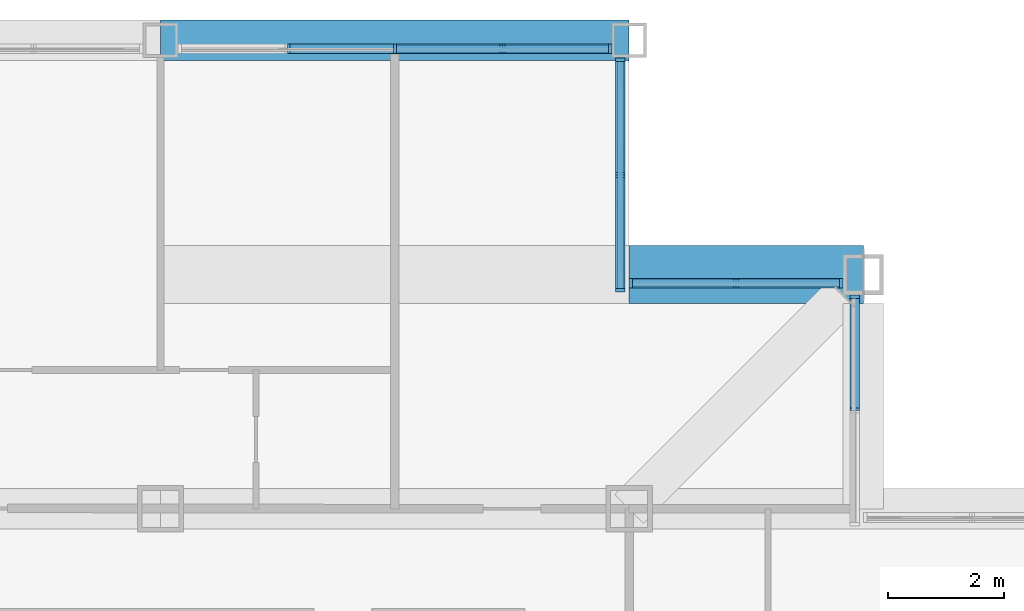
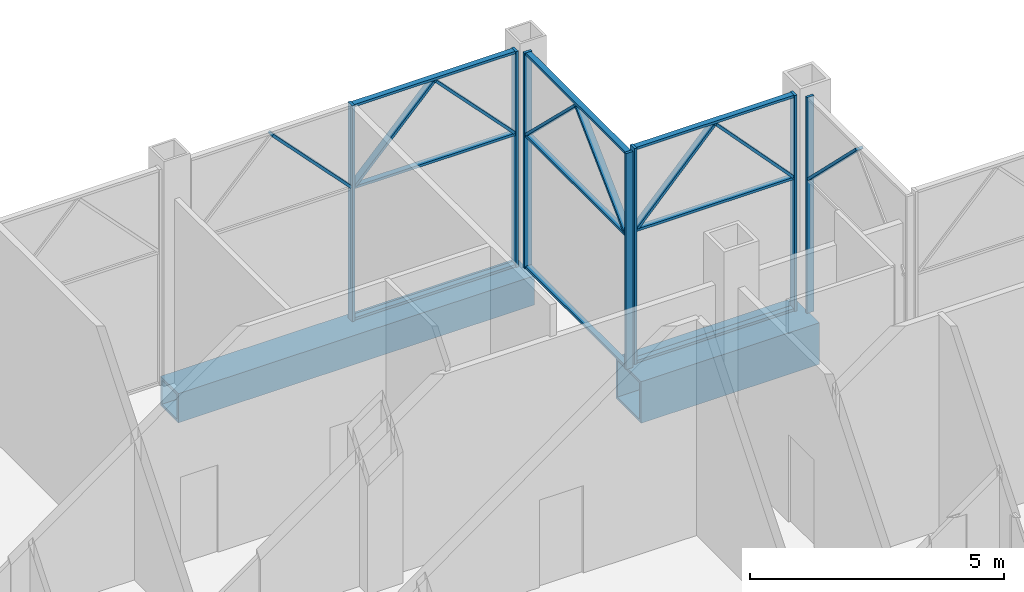
# One storey, part 11 of 29: 24 members, 2 beams, 4 elements without a shape of their own.
"""IFC4 building model written with IfcOpenShell, lengths in metres."""

from ifc_helpers import new_model, si_unit, direction, frame, origin, origin_2d, place, context, subcontext, project, spatial, rectangle, hollow_rectangle, extrude, material, material_profile, profile_set, type_object, element, aggregate, save


model = new_model("IFC4")

# Units and contexts
model_context = context("Model", 3, precision=1e-05, world=origin(), true_north=direction((0.0, 1.0)))
body_context = subcontext(model_context, "Body", "Model", "MODEL_VIEW")
ifc_project = project(units=[si_unit("LENGTHUNIT", "METRE"), si_unit("AREAUNIT", "SQUARE_METRE"), si_unit("VOLUMEUNIT", "CUBIC_METRE"), si_unit("PLANEANGLEUNIT", "RADIAN"), si_unit("MASSUNIT", "GRAM", prefix="KILO")], contexts=[model_context])

# Site, building, storey
site_placement = place(None, origin())
site = spatial("IfcSite", under=ifc_project, at=site_placement, CompositionType="ELEMENT")
building_placement = place(site_placement, origin())
building = spatial("IfcBuilding", under=site, at=building_placement, Name="Kopane Lantern Tower", CompositionType="ELEMENT")
storey_placement = place(building_placement, frame((0.0, 0.0, 165.0)))
storey = spatial("IfcBuildingStorey", under=building, at=storey_placement, Name="L42", CompositionType="ELEMENT", Elevation=165.0)

# Beam
ifc_material_1 = material(Name="Steel S355JR", Category="steel")
ifc_material_profile_1 = material_profile(ifc_material_1, hollow_rectangle(XDim=0.699951171875, YDim=0.699951171875, WallThickness=0.06005859375, at=origin_2d()), Name="BOX 700x700x60")
ifc_profile_set_1 = profile_set([ifc_material_profile_1], Name="Steel S355JR")
beam_type_1 = type_object("IfcBeamType", Name="GIRDER BOX 700x700x60", PredefinedType="BEAM", material=ifc_profile_set_1)
beam_1_placement = place(storey_placement, frame((40.5, 59.39990234375, -0.60009765625), z_axis=(1.0, 0.0, 0.0), x_axis=(0.0, 1.0, 0.0)))
element("IfcBeam", 1, at=beam_1_placement, inside=storey, type_object=beam_type_1, Name="Girder L42", PredefinedType="BEAM", context=body_context, shape_type="SweptSolid", body=[
    extrude(hollow_rectangle(XDim=0.699951171875, YDim=0.699951171875, WallThickness=0.06005859375, at=origin_2d()), origin(), (0.0, 0.0, 1.0), 8.10009765625),
])

# Curtain wall, members
ifc_material_2 = material(Name="Aluminium and clear glass", Category="aluminium")
curtain_wall_type = type_object("IfcCurtainWallType", Name="CURTAIN WALL CW4 RESIDENCES LOBBY", PredefinedType="USERDEFINED", material=ifc_material_2)
curtain_wall_1_placement = place(storey_placement, origin())
curtain_wall_1 = element("IfcCurtainWall", 2, at=curtain_wall_1_placement, inside=storey, type_object=curtain_wall_type, Name="Curtain wall CW4 E L42", ObjectType="CURTAIN WALL", PredefinedType="USERDEFINED")
ifc_material_3 = material(Name="Aluminium", Category="aluminium")
ifc_material_profile_2 = material_profile(ifc_material_3, rectangle(XDim=0.06005859375, YDim=0.1650390625, at=origin_2d()), Name="AL 60x165")
ifc_profile_set_2 = profile_set([ifc_material_profile_2], Name="Aluminium")
member_type_1 = type_object("IfcMemberType", Name="MULLION CW4-M 60x165", PredefinedType="MULLION", material=ifc_profile_set_2)
member_1_placement = place(storey_placement, frame((52.5, 54.965087890625, 0.0), z_axis=(0.0, 0.0, 1.0), x_axis=(0.0, 1.0, 0.0)))
member_1 = element("IfcMember", 3, at=member_1_placement, type_object=member_type_1, Name="CW4 mullion 2", PredefinedType="MULLION", context=body_context, shape_type="SweptSolid", body=[
    extrude(rectangle(XDim=0.06005859375, YDim=0.1650390625, at=origin_2d()), origin(), (0.0, 0.0, 1.0), 5.18994140625),
])
member_2_placement = place(storey_placement, frame((52.5, 54.913818359375, 3.241455078125), z_axis=(0.0, -0.712363521538, 0.701810667618), x_axis=(0.0, 0.701810667618, 0.712363521538)))
member_2 = element("IfcMember", 4, at=member_2_placement, type_object=member_type_1, Name="CW4 lancet mullion 1R", PredefinedType="MULLION", context=body_context, shape_type="SweptSolid", body=[
    extrude(rectangle(XDim=0.06005859375, YDim=0.1650390625, at=origin_2d()), origin(), (0.0, 0.0, 1.0), 2.66064453125),
])
aggregate(curtain_wall_1, [member_1, member_2])

curtain_wall_2_placement = place(storey_placement, origin())
curtain_wall_2 = element("IfcCurtainWall", 5, at=curtain_wall_2_placement, inside=storey, type_object=curtain_wall_type, Name="Curtain wall CW4 N L42", ObjectType="CURTAIN WALL", PredefinedType="USERDEFINED")
member_3_placement = place(storey_placement, frame((52.264892578125, 55.199951171875, 0.0), z_axis=(0.0, 0.0, 1.0), x_axis=(-1.0, 0.0, 0.0)))
member_3 = element("IfcMember", 6, at=member_3_placement, type_object=member_type_1, Name="CW4 mullion 1", PredefinedType="MULLION", context=body_context, shape_type="SweptSolid", body=[
    extrude(rectangle(XDim=0.06005859375, YDim=0.1650390625, at=origin_2d()), origin(), (0.0, 0.0, 1.0), 5.18994140625),
])
member_4_placement = place(storey_placement, frame((48.6298828125, 55.199951171875, 0.0), z_axis=(0.0, 0.0, 1.0), x_axis=(-1.0, 0.0, 0.0)))
member_4 = element("IfcMember", 7, at=member_4_placement, type_object=member_type_1, Name="CW4 mullion 2", PredefinedType="MULLION", context=body_context, shape_type="SweptSolid", body=[
    extrude(rectangle(XDim=0.06005859375, YDim=0.1650390625, at=origin_2d()), origin(), (0.0, 0.0, 1.0), 5.18994140625),
])
member_5_placement = place(storey_placement, frame((52.213134765625, 55.199951171875, 3.240478515625), z_axis=(-0.68213446792, 0.0, 0.731226755306), x_axis=(0.731226755306, 0.0, 0.68213446792)))
member_5 = element("IfcMember", 8, at=member_5_placement, type_object=member_type_1, Name="CW4 lancet mullion 1L", PredefinedType="MULLION", context=body_context, shape_type="SweptSolid", body=[
    extrude(rectangle(XDim=0.06005859375, YDim=0.1650390625, at=origin_2d()), origin(), (0.0, 0.0, 1.0), 2.55615234375),
])
member_6_placement = place(storey_placement, frame((48.681884765625, 55.199951171875, 3.240478515625), z_axis=(0.68213446792, 0.0, 0.731226755306), x_axis=(-0.731226755306, 0.0, 0.68213446792)))
member_6 = element("IfcMember", 9, at=member_6_placement, type_object=member_type_1, Name="CW4 lancet mullion 1R", PredefinedType="MULLION", context=body_context, shape_type="SweptSolid", body=[
    extrude(rectangle(XDim=0.06005859375, YDim=0.1650390625, at=origin_2d()), origin(), (0.0, 0.0, 1.0), 2.55615234375),
])

curtain_wall_3_placement = place(storey_placement, origin())
curtain_wall_3 = element("IfcCurtainWall", 10, at=curtain_wall_3_placement, inside=storey, type_object=curtain_wall_type, Name="Curtain wall CW4 E L42", ObjectType="CURTAIN WALL", PredefinedType="USERDEFINED")
member_7_placement = place(storey_placement, frame((48.449951171875, 55.080078125, 0.0), z_axis=(0.0, 0.0, 1.0), x_axis=(0.0, 1.0, 0.0)))
member_7 = element("IfcMember", 11, at=member_7_placement, type_object=member_type_1, Name="CW4 mullion 1", PredefinedType="MULLION", context=body_context, shape_type="SweptSolid", body=[
    extrude(rectangle(XDim=0.06005859375, YDim=0.1650390625, at=origin_2d()), origin(), (0.0, 0.0, 1.0), 5.18994140625),
])
member_8_placement = place(storey_placement, frame((48.449951171875, 59.06494140625, 0.0), z_axis=(0.0, 0.0, 1.0), x_axis=(0.0, 1.0, 0.0)))
member_8 = element("IfcMember", 12, at=member_8_placement, type_object=member_type_1, Name="CW4 mullion 2", PredefinedType="MULLION", context=body_context, shape_type="SweptSolid", body=[
    extrude(rectangle(XDim=0.06005859375, YDim=0.1650390625, at=origin_2d()), origin(), (0.0, 0.0, 1.0), 5.18994140625),
])
member_9_placement = place(storey_placement, frame((48.449951171875, 55.130859375, 3.241455078125), z_axis=(0.0, 0.717061983999, 0.697009405319), x_axis=(0.0, -0.697009405319, 0.717061983999)))
member_9 = element("IfcMember", 13, at=member_9_placement, type_object=member_type_1, Name="CW4 lancet mullion 1L", PredefinedType="MULLION", context=body_context, shape_type="SweptSolid", body=[
    extrude(rectangle(XDim=0.06005859375, YDim=0.1650390625, at=origin_2d()), origin(), (0.0, 0.0, 1.0), 2.678466796875),
])
member_10_placement = place(storey_placement, frame((48.449951171875, 59.01416015625, 3.241455078125), z_axis=(0.0, -0.717061983999, 0.697009405319), x_axis=(0.0, 0.697009405319, 0.717061983999)))
member_10 = element("IfcMember", 14, at=member_10_placement, type_object=member_type_1, Name="CW4 lancet mullion 1R", PredefinedType="MULLION", context=body_context, shape_type="SweptSolid", body=[
    extrude(rectangle(XDim=0.06005859375, YDim=0.1650390625, at=origin_2d()), origin(), (0.0, 0.0, 1.0), 2.678466796875),
])

curtain_wall_4_placement = place(storey_placement, origin())
curtain_wall_4 = element("IfcCurtainWall", 15, at=curtain_wall_4_placement, inside=storey, type_object=curtain_wall_type, Name="Curtain wall CW4 N L42", ObjectType="CURTAIN WALL", PredefinedType="USERDEFINED")
member_11_placement = place(storey_placement, frame((48.27001953125, 59.25, 0.0), z_axis=(0.0, 0.0, 1.0), x_axis=(-1.0, 0.0, 0.0)))
member_11 = element("IfcMember", 16, at=member_11_placement, type_object=member_type_1, Name="CW4 mullion 1", PredefinedType="MULLION", context=body_context, shape_type="SweptSolid", body=[
    extrude(rectangle(XDim=0.06005859375, YDim=0.1650390625, at=origin_2d()), origin(), (0.0, 0.0, 1.0), 5.18994140625),
])
member_12_placement = place(storey_placement, frame((44.552490234375, 59.25, 0.0), z_axis=(0.0, 0.0, 1.0), x_axis=(-1.0, 0.0, 0.0)))
member_12 = element("IfcMember", 17, at=member_12_placement, type_object=member_type_1, Name="CW4 mullion 2", PredefinedType="MULLION", context=body_context, shape_type="SweptSolid", body=[
    extrude(rectangle(XDim=0.06005859375, YDim=0.1650390625, at=origin_2d()), origin(), (0.0, 0.0, 1.0), 5.18994140625),
])
member_13_placement = place(storey_placement, frame((48.21826171875, 59.25, 3.24072265625), z_axis=(-0.690817170818, 0.0, 0.723029485224), x_axis=(0.723029485224, 0.0, 0.690817170818)))
member_13 = element("IfcMember", 18, at=member_13_placement, type_object=member_type_1, Name="CW4 lancet mullion 1L", PredefinedType="MULLION", context=body_context, shape_type="SweptSolid", body=[
    extrude(rectangle(XDim=0.06005859375, YDim=0.1650390625, at=origin_2d()), origin(), (0.0, 0.0, 1.0), 2.58447265625),
])
member_14_placement = place(storey_placement, frame((44.604248046875, 59.25, 3.24072265625), z_axis=(0.690817170818, 0.0, 0.723029485224), x_axis=(-0.723029485224, 0.0, 0.690817170818)))
member_14 = element("IfcMember", 19, at=member_14_placement, type_object=member_type_1, Name="CW4 lancet mullion 1R", PredefinedType="MULLION", context=body_context, shape_type="SweptSolid", body=[
    extrude(rectangle(XDim=0.06005859375, YDim=0.1650390625, at=origin_2d()), origin(), (0.0, 0.0, 1.0), 2.58447265625),
])
member_15_placement = place(storey_placement, frame((44.500732421875, 59.25, 3.24072265625), z_axis=(-0.690817170818, 0.0, 0.723029485224), x_axis=(0.723029485224, 0.0, 0.690817170818)))
member_15 = element("IfcMember", 20, at=member_15_placement, type_object=member_type_1, Name="CW4 lancet mullion 2L", PredefinedType="MULLION", context=body_context, shape_type="SweptSolid", body=[
    extrude(rectangle(XDim=0.06005859375, YDim=0.1650390625, at=origin_2d()), origin(), (0.0, 0.0, 1.0), 2.58447265625),
])

# Beam
ifc_material_4 = material(Name="Steel S355JR", Category="steel")
ifc_material_profile_3 = material_profile(ifc_material_4, hollow_rectangle(XDim=1.0, YDim=1.0, WallThickness=0.06005859375, at=origin_2d()), Name="BOX 1000x1000x60")
ifc_profile_set_3 = profile_set([ifc_material_profile_3], Name="Steel S355JR")
beam_type_2 = type_object("IfcBeamType", Name="TRANSFER BEAM BOX 1000x1000x60", PredefinedType="BEAM", material=ifc_profile_set_3)
beam_2_placement = place(storey_placement, frame((52.64990234375, 55.35009765625, -0.75), z_axis=(-1.0, 0.0, 0.0), x_axis=(0.0, -1.0, 0.0)))
element("IfcBeam", 21, at=beam_2_placement, inside=storey, type_object=beam_type_2, Name="Transfer Beam L42", PredefinedType="BEAM", context=body_context, shape_type="SweptSolid", body=[
    extrude(hollow_rectangle(XDim=1.0, YDim=1.0, WallThickness=0.06005859375, at=origin_2d()), origin(), (0.0, 0.0, 1.0), 4.0498046875),
])

# Member
ifc_material_5 = material(Name="Aluminium", Category="aluminium")
ifc_material_profile_4 = material_profile(ifc_material_5, rectangle(XDim=0.125, YDim=0.06005859375, at=origin_2d()), Name="AL 125x60")
ifc_profile_set_4 = profile_set([ifc_material_profile_4], Name="Aluminium")
member_type_2 = type_object("IfcMemberType", Name="TRANSOM CW4-T 60x125", PredefinedType="USERDEFINED", material=ifc_profile_set_4)
member_16_placement = place(storey_placement, frame((52.235107421875, 55.199951171875, 0.030029296875), z_axis=(-1.0, 0.0, 0.0), x_axis=(0.0, -1.0, 0.0)))
member_16 = element("IfcMember", 22, at=member_16_placement, type_object=member_type_2, Name="CW4 transom 1.1", ObjectType="TRANSOM", PredefinedType="USERDEFINED", context=body_context, shape_type="SweptSolid", body=[
    extrude(rectangle(XDim=0.125, YDim=0.06005859375, at=origin_2d()), origin(), (0.0, 0.0, 1.0), 3.5751953125),
])

member_17_placement = place(storey_placement, frame((52.235107421875, 55.199951171875, 3.18994140625), z_axis=(-1.0, 0.0, 0.0), x_axis=(0.0, -1.0, 0.0)))
member_17 = element("IfcMember", 23, at=member_17_placement, type_object=member_type_2, Name="CW4 transom 1.2", ObjectType="TRANSOM", PredefinedType="USERDEFINED", context=body_context, shape_type="SweptSolid", body=[
    extrude(rectangle(XDim=0.125, YDim=0.06005859375, at=origin_2d()), origin(), (0.0, 0.0, 1.0), 3.5751953125),
])

member_18_placement = place(storey_placement, frame((52.235107421875, 55.199951171875, 5.159912109375), z_axis=(-1.0, 0.0, 0.0), x_axis=(0.0, -1.0, 0.0)))
member_18 = element("IfcMember", 24, at=member_18_placement, type_object=member_type_2, Name="CW4 transom 1.3", ObjectType="TRANSOM", PredefinedType="USERDEFINED", context=body_context, shape_type="SweptSolid", body=[
    extrude(rectangle(XDim=0.125, YDim=0.06005859375, at=origin_2d()), origin(), (0.0, 0.0, 1.0), 3.5751953125),
])

aggregate(curtain_wall_2, [member_3, member_4, member_16, member_17, member_18, member_5, member_6])

member_19_placement = place(storey_placement, frame((48.449951171875, 55.110107421875, 0.030029296875), z_axis=(0.0, 1.0, 0.0), x_axis=(-1.0, 0.0, 0.0)))
member_19 = element("IfcMember", 25, at=member_19_placement, type_object=member_type_2, Name="CW4 transom 1.1", ObjectType="TRANSOM", PredefinedType="USERDEFINED", context=body_context, shape_type="SweptSolid", body=[
    extrude(rectangle(XDim=0.125, YDim=0.06005859375, at=origin_2d()), origin(), (0.0, 0.0, 1.0), 3.9248046875),
])

member_20_placement = place(storey_placement, frame((48.449951171875, 55.110107421875, 3.18994140625), z_axis=(0.0, 1.0, 0.0), x_axis=(-1.0, 0.0, 0.0)))
member_20 = element("IfcMember", 26, at=member_20_placement, type_object=member_type_2, Name="CW4 transom 1.2", ObjectType="TRANSOM", PredefinedType="USERDEFINED", context=body_context, shape_type="SweptSolid", body=[
    extrude(rectangle(XDim=0.125, YDim=0.06005859375, at=origin_2d()), origin(), (0.0, 0.0, 1.0), 3.9248046875),
])

member_21_placement = place(storey_placement, frame((48.449951171875, 55.110107421875, 5.159912109375), z_axis=(0.0, 1.0, 0.0), x_axis=(-1.0, 0.0, 0.0)))
member_21 = element("IfcMember", 27, at=member_21_placement, type_object=member_type_2, Name="CW4 transom 1.3", ObjectType="TRANSOM", PredefinedType="USERDEFINED", context=body_context, shape_type="SweptSolid", body=[
    extrude(rectangle(XDim=0.125, YDim=0.06005859375, at=origin_2d()), origin(), (0.0, 0.0, 1.0), 3.9248046875),
])

aggregate(curtain_wall_3, [member_7, member_8, member_19, member_20, member_21, member_9, member_10])

member_22_placement = place(storey_placement, frame((48.239990234375, 59.25, 0.030029296875), z_axis=(-1.0, 0.0, 0.0), x_axis=(0.0, -1.0, 0.0)))
member_22 = element("IfcMember", 28, at=member_22_placement, type_object=member_type_2, Name="CW4 transom 1.1", ObjectType="TRANSOM", PredefinedType="USERDEFINED", context=body_context, shape_type="SweptSolid", body=[
    extrude(rectangle(XDim=0.125, YDim=0.06005859375, at=origin_2d()), origin(), (0.0, 0.0, 1.0), 3.657470703125),
])

member_23_placement = place(storey_placement, frame((48.239990234375, 59.25, 3.18994140625), z_axis=(-1.0, 0.0, 0.0), x_axis=(0.0, -1.0, 0.0)))
member_23 = element("IfcMember", 29, at=member_23_placement, type_object=member_type_2, Name="CW4 transom 1.2", ObjectType="TRANSOM", PredefinedType="USERDEFINED", context=body_context, shape_type="SweptSolid", body=[
    extrude(rectangle(XDim=0.125, YDim=0.06005859375, at=origin_2d()), origin(), (0.0, 0.0, 1.0), 3.657470703125),
])

member_24_placement = place(storey_placement, frame((48.239990234375, 59.25, 5.159912109375), z_axis=(-1.0, 0.0, 0.0), x_axis=(0.0, -1.0, 0.0)))
member_24 = element("IfcMember", 30, at=member_24_placement, type_object=member_type_2, Name="CW4 transom 1.3", ObjectType="TRANSOM", PredefinedType="USERDEFINED", context=body_context, shape_type="SweptSolid", body=[
    extrude(rectangle(XDim=0.125, YDim=0.06005859375, at=origin_2d()), origin(), (0.0, 0.0, 1.0), 3.657470703125),
])

aggregate(curtain_wall_4, [member_11, member_12, member_22, member_23, member_24, member_13, member_14, member_15])

save(model, "model.ifc")
